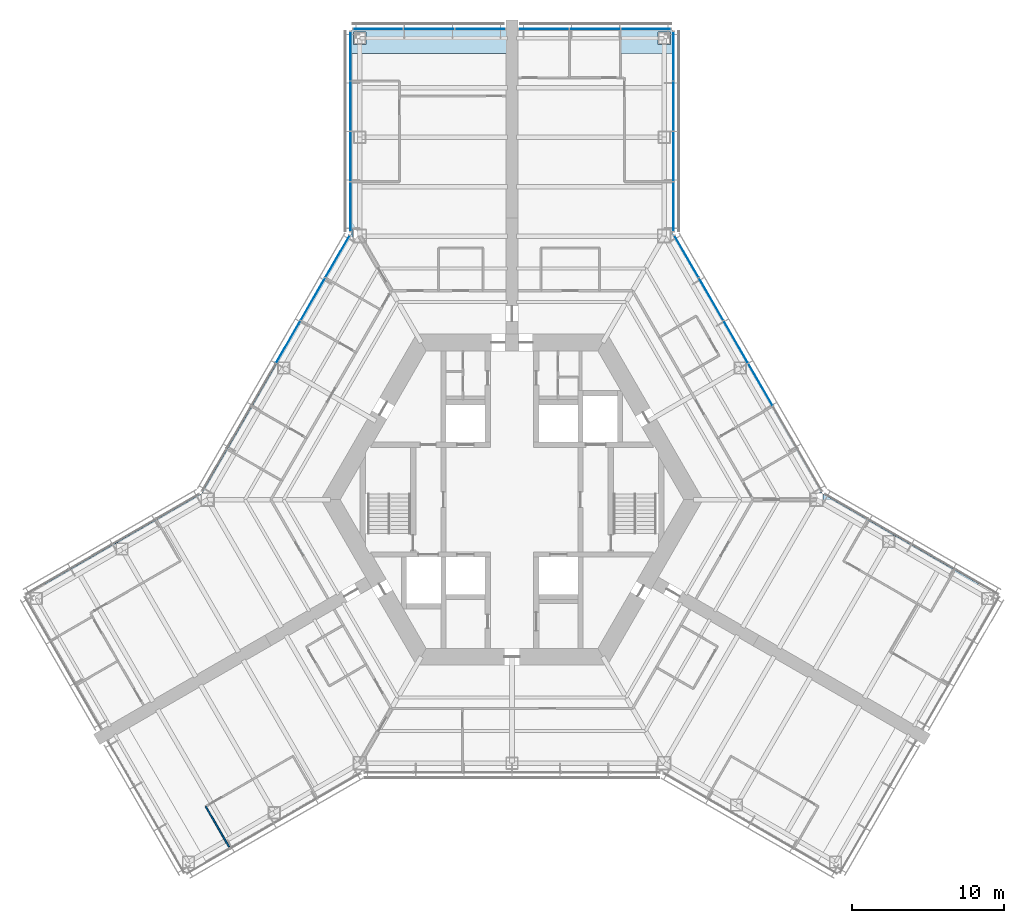
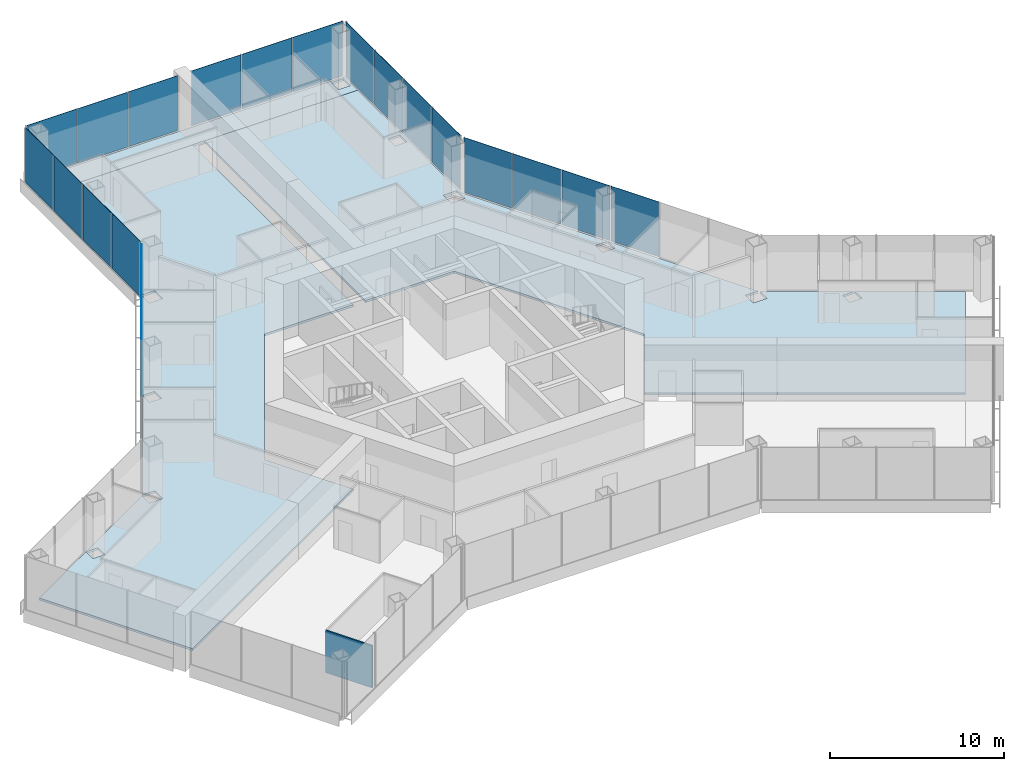
# One storey, part 11 of 19: 21 plates, 3 slabs, 1 wall, 6 elements without a shape of their own.
"""IFC4 building model written with IfcOpenShell, lengths in metres."""

from ifc_helpers import new_model, si_unit, direction, frame, frame_2d, origin, origin_2d, place, context, subcontext, project, spatial, polyline, rectangle, outline, extrude, material, layer, layer_set, type_object, element, aggregate, save


model = new_model("IFC4")

# Units and contexts
model_context = context("Model", 3, precision=1e-05, world=origin(), true_north=direction((0.0, 1.0)))
body_context = subcontext(model_context, "Body", "Model", "MODEL_VIEW")
ifc_project = project(units=[si_unit("LENGTHUNIT", "METRE"), si_unit("AREAUNIT", "SQUARE_METRE"), si_unit("VOLUMEUNIT", "CUBIC_METRE"), si_unit("PLANEANGLEUNIT", "RADIAN"), si_unit("MASSUNIT", "GRAM", prefix="KILO")], contexts=[model_context])

# Site, building, storey
site_placement = place(None, origin())
site = spatial("IfcSite", under=ifc_project, at=site_placement, CompositionType="ELEMENT")
building_placement = place(site_placement, origin())
building = spatial("IfcBuilding", under=site, at=building_placement, Name="Kasaneha Research Tower", CompositionType="ELEMENT")
storey_placement = place(building_placement, frame((0.0, 0.0, 104.10009765625)))
storey = spatial("IfcBuildingStorey", under=building, at=storey_placement, Name="L26", CompositionType="ELEMENT", Elevation=104.10009765625)

# Curtain wall, plates
ifc_material_1 = material(Name="Glass and aluminium", Category="aluminium")
curtain_wall_type = type_object("IfcCurtainWallType", Name="Low-rise office curtain wall", PredefinedType="USERDEFINED", material=ifc_material_1)
curtain_wall_1_placement = place(storey_placement, origin())
curtain_wall_1 = element("IfcCurtainWall", 1, at=curtain_wall_1_placement, inside=storey, type_object=curtain_wall_type, Name="CW-O1 L26 run 07a", ObjectType="UNITISED CURTAIN WALL", PredefinedType="USERDEFINED")
ifc_material_2 = material(Name="Laminated double glazing", Category="glass")
ifc_layer_1 = layer(ifc_material_2, 0.028076171875)
ifc_layer_set_1 = layer_set([ifc_layer_1], Name="CW-O1 glazed panel")
plate_type = type_object("IfcPlateType", Name="CW-O1 glazed panel", PredefinedType="CURTAIN_PANEL", material=ifc_layer_set_1)
plate_1_placement = place(storey_placement, frame((16.331298828125, 7.554443359375, 0.06005859375), z_axis=(0.0, 0.0, 1.0), x_axis=(-0.49999996188, 0.866025425793, 0.0)))
plate_1 = element("IfcPlate", 2, at=plate_1_placement, type_object=plate_type, Name="CW-O1 panel 3", PredefinedType="CURTAIN_PANEL", context=body_context, shape_type="SweptSolid", body=[
    extrude(rectangle(XDim=3.1865234375, YDim=0.028076171875, at=origin_2d()), origin(), (0.0, 0.0, 1.0), 3.840087890625),
])
plate_2_placement = place(storey_placement, frame((14.7080078125, 10.365966796875, 0.06005859375), z_axis=(0.0, 0.0, 1.0), x_axis=(-0.49999996188, 0.866025425793, 0.0)))
plate_2 = element("IfcPlate", 3, at=plate_2_placement, type_object=plate_type, Name="CW-O1 panel 4", PredefinedType="CURTAIN_PANEL", context=body_context, shape_type="SweptSolid", body=[
    extrude(rectangle(XDim=3.1865234375, YDim=0.028076171875, at=origin_2d()), origin(), (0.0, 0.0, 1.0), 3.840087890625),
])
plate_3_placement = place(storey_placement, frame((13.084716796875, 13.177490234375, 0.06005859375), z_axis=(0.0, 0.0, 1.0), x_axis=(-0.49999996188, 0.866025425793, 0.0)))
plate_3 = element("IfcPlate", 4, at=plate_3_placement, type_object=plate_type, Name="CW-O1 panel 5", PredefinedType="CURTAIN_PANEL", context=body_context, shape_type="SweptSolid", body=[
    extrude(rectangle(XDim=3.1865234375, YDim=0.028076171875, at=origin_2d()), origin(), (0.0, 0.0, 1.0), 3.840087890625),
])
plate_4_placement = place(storey_placement, frame((11.468994140625, 15.975830078125, 0.06005859375), z_axis=(0.0, 0.0, 1.0), x_axis=(-0.49999996188, 0.866025425793, 0.0)))
plate_4 = element("IfcPlate", 5, at=plate_4_placement, type_object=plate_type, Name="CW-O1 panel 6", PredefinedType="CURTAIN_PANEL", context=body_context, shape_type="SweptSolid", body=[
    extrude(rectangle(XDim=3.156494140625, YDim=0.028076171875, at=origin_2d()), origin(), (0.0, 0.0, 1.0), 3.840087890625),
])
aggregate(curtain_wall_1, [plate_1, plate_2, plate_3, plate_4])

curtain_wall_2_placement = place(storey_placement, origin())
curtain_wall_2 = element("IfcCurtainWall", 6, at=curtain_wall_2_placement, inside=storey, type_object=curtain_wall_type, Name="CW-O1 L26 run 08a", ObjectType="UNITISED CURTAIN WALL", PredefinedType="USERDEFINED")
plate_5_placement = place(storey_placement, frame((10.60009765625, 19.251220703125, 0.06005859375), z_axis=(0.0, 0.0, 1.0), x_axis=(0.0, 1.0, 0.0)))
plate_5 = element("IfcPlate", 7, at=plate_5_placement, type_object=plate_type, Name="CW-O1 panel 1", PredefinedType="CURTAIN_PANEL", context=body_context, shape_type="SweptSolid", body=[
    extrude(rectangle(XDim=3.2197265625, YDim=0.028076171875, at=origin_2d()), origin(), (0.0, 0.0, 1.0), 3.840087890625),
])
plate_6_placement = place(storey_placement, frame((10.60009765625, 22.5458984375, 0.06005859375), z_axis=(0.0, 0.0, 1.0), x_axis=(0.0, 1.0, 0.0)))
plate_6 = element("IfcPlate", 8, at=plate_6_placement, type_object=plate_type, Name="CW-O1 panel 2", PredefinedType="CURTAIN_PANEL", context=body_context, shape_type="SweptSolid", body=[
    extrude(rectangle(XDim=3.249755859375, YDim=0.028076171875, at=origin_2d()), origin(), (0.0, 0.0, 1.0), 3.840087890625),
])
plate_7_placement = place(storey_placement, frame((10.60009765625, 25.855712890625, 0.06005859375), z_axis=(0.0, 0.0, 1.0), x_axis=(0.0, 1.0, 0.0)))
plate_7 = element("IfcPlate", 9, at=plate_7_placement, type_object=plate_type, Name="CW-O1 panel 3", PredefinedType="CURTAIN_PANEL", context=body_context, shape_type="SweptSolid", body=[
    extrude(rectangle(XDim=3.249755859375, YDim=0.028076171875, at=origin_2d()), origin(), (0.0, 0.0, 1.0), 3.840087890625),
])
plate_8_placement = place(storey_placement, frame((10.60009765625, 29.150634765625, 0.06005859375), z_axis=(0.0, 0.0, 1.0), x_axis=(0.0, 1.0, 0.0)))
plate_8 = element("IfcPlate", 10, at=plate_8_placement, type_object=plate_type, Name="CW-O1 panel 4", PredefinedType="CURTAIN_PANEL", context=body_context, shape_type="SweptSolid", body=[
    extrude(rectangle(XDim=3.2197265625, YDim=0.028076171875, at=origin_2d()), origin(), (0.0, 0.0, 1.0), 3.840087890625),
])
aggregate(curtain_wall_2, [plate_5, plate_6, plate_7, plate_8])

curtain_wall_3_placement = place(storey_placement, origin())
curtain_wall_3 = element("IfcCurtainWall", 11, at=curtain_wall_3_placement, inside=storey, type_object=curtain_wall_type, Name="CW-O1 L26 run 09a", ObjectType="UNITISED CURTAIN WALL", PredefinedType="USERDEFINED")
plate_9_placement = place(storey_placement, frame((8.8017578125, 30.92041015625, 0.06005859375), z_axis=(0.0, 0.0, 1.0), x_axis=(-1.0, 0.0, 0.0)))
plate_9 = element("IfcPlate", 12, at=plate_9_placement, type_object=plate_type, Name="CW-O1 panel 1", PredefinedType="CURTAIN_PANEL", context=body_context, shape_type="SweptSolid", body=[
    extrude(rectangle(XDim=3.276611328125, YDim=0.028076171875, at=origin_2d()), origin(), (0.0, 0.0, 1.0), 3.840087890625),
])
plate_10_placement = place(storey_placement, frame((5.449951171875, 30.92041015625, 0.06005859375), z_axis=(0.0, 0.0, 1.0), x_axis=(-1.0, 0.0, 0.0)))
plate_10 = element("IfcPlate", 13, at=plate_10_placement, type_object=plate_type, Name="CW-O1 panel 2", PredefinedType="CURTAIN_PANEL", context=body_context, shape_type="SweptSolid", body=[
    extrude(rectangle(XDim=3.306640625, YDim=0.028076171875, at=origin_2d()), origin(), (0.0, 0.0, 1.0), 3.840087890625),
])
plate_11_placement = place(storey_placement, frame((2.098388671875, 30.92041015625, 0.06005859375), z_axis=(0.0, 0.0, 1.0), x_axis=(-1.0, 0.0, 0.0)))
plate_11 = element("IfcPlate", 14, at=plate_11_placement, type_object=plate_type, Name="CW-O1 panel 3", PredefinedType="CURTAIN_PANEL", context=body_context, shape_type="SweptSolid", body=[
    extrude(rectangle(XDim=3.276611328125, YDim=0.028076171875, at=origin_2d()), origin(), (0.0, 0.0, 1.0), 3.840087890625),
])
aggregate(curtain_wall_3, [plate_9, plate_10, plate_11])

curtain_wall_4_placement = place(storey_placement, origin())
curtain_wall_4 = element("IfcCurtainWall", 15, at=curtain_wall_4_placement, inside=storey, type_object=curtain_wall_type, Name="CW-O1 L26 run 10a", ObjectType="UNITISED CURTAIN WALL", PredefinedType="USERDEFINED")
plate_12_placement = place(storey_placement, frame((-2.098388671875, 30.92041015625, 0.06005859375), z_axis=(0.0, 0.0, 1.0), x_axis=(-1.0, 0.0, 0.0)))
plate_12 = element("IfcPlate", 16, at=plate_12_placement, type_object=plate_type, Name="CW-O1 panel 1", PredefinedType="CURTAIN_PANEL", context=body_context, shape_type="SweptSolid", body=[
    extrude(rectangle(XDim=3.276611328125, YDim=0.028076171875, at=origin_2d()), origin(), (0.0, 0.0, 1.0), 3.840087890625),
])
plate_13_placement = place(storey_placement, frame((-5.449951171875, 30.92041015625, 0.06005859375), z_axis=(0.0, 0.0, 1.0), x_axis=(-1.0, 0.0, 0.0)))
plate_13 = element("IfcPlate", 17, at=plate_13_placement, type_object=plate_type, Name="CW-O1 panel 2", PredefinedType="CURTAIN_PANEL", context=body_context, shape_type="SweptSolid", body=[
    extrude(rectangle(XDim=3.306640625, YDim=0.028076171875, at=origin_2d()), origin(), (0.0, 0.0, 1.0), 3.840087890625),
])
plate_14_placement = place(storey_placement, frame((-8.8017578125, 30.92041015625, 0.06005859375), z_axis=(0.0, 0.0, 1.0), x_axis=(-1.0, 0.0, 0.0)))
plate_14 = element("IfcPlate", 18, at=plate_14_placement, type_object=plate_type, Name="CW-O1 panel 3", PredefinedType="CURTAIN_PANEL", context=body_context, shape_type="SweptSolid", body=[
    extrude(rectangle(XDim=3.276611328125, YDim=0.028076171875, at=origin_2d()), origin(), (0.0, 0.0, 1.0), 3.840087890625),
])
aggregate(curtain_wall_4, [plate_12, plate_13, plate_14])

curtain_wall_5_placement = place(storey_placement, origin())
curtain_wall_5 = element("IfcCurtainWall", 19, at=curtain_wall_5_placement, inside=storey, type_object=curtain_wall_type, Name="CW-O1 L26 run 11a", ObjectType="UNITISED CURTAIN WALL", PredefinedType="USERDEFINED")
plate_15_placement = place(storey_placement, frame((-10.60009765625, 29.150634765625, 0.06005859375), z_axis=(0.0, 0.0, 1.0), x_axis=(0.0, -1.0, 0.0)))
plate_15 = element("IfcPlate", 20, at=plate_15_placement, type_object=plate_type, Name="CW-O1 panel 1", PredefinedType="CURTAIN_PANEL", context=body_context, shape_type="SweptSolid", body=[
    extrude(rectangle(XDim=3.2197265625, YDim=0.028076171875, at=origin_2d()), origin(), (0.0, 0.0, 1.0), 3.840087890625),
])
plate_16_placement = place(storey_placement, frame((-10.60009765625, 25.855712890625, 0.06005859375), z_axis=(0.0, 0.0, 1.0), x_axis=(0.0, -1.0, 0.0)))
plate_16 = element("IfcPlate", 21, at=plate_16_placement, type_object=plate_type, Name="CW-O1 panel 2", PredefinedType="CURTAIN_PANEL", context=body_context, shape_type="SweptSolid", body=[
    extrude(rectangle(XDim=3.249755859375, YDim=0.028076171875, at=origin_2d()), origin(), (0.0, 0.0, 1.0), 3.840087890625),
])
plate_17_placement = place(storey_placement, frame((-10.60009765625, 22.5458984375, 0.06005859375), z_axis=(0.0, 0.0, 1.0), x_axis=(0.0, -1.0, 0.0)))
plate_17 = element("IfcPlate", 22, at=plate_17_placement, type_object=plate_type, Name="CW-O1 panel 3", PredefinedType="CURTAIN_PANEL", context=body_context, shape_type="SweptSolid", body=[
    extrude(rectangle(XDim=3.249755859375, YDim=0.028076171875, at=origin_2d()), origin(), (0.0, 0.0, 1.0), 3.840087890625),
])
plate_18_placement = place(storey_placement, frame((-10.60009765625, 19.251220703125, 0.06005859375), z_axis=(0.0, 0.0, 1.0), x_axis=(0.0, -1.0, 0.0)))
plate_18 = element("IfcPlate", 23, at=plate_18_placement, type_object=plate_type, Name="CW-O1 panel 4", PredefinedType="CURTAIN_PANEL", context=body_context, shape_type="SweptSolid", body=[
    extrude(rectangle(XDim=3.2197265625, YDim=0.028076171875, at=origin_2d()), origin(), (0.0, 0.0, 1.0), 3.840087890625),
])
aggregate(curtain_wall_5, [plate_15, plate_16, plate_17, plate_18])

curtain_wall_6_placement = place(storey_placement, origin())
curtain_wall_6 = element("IfcCurtainWall", 24, at=curtain_wall_6_placement, inside=storey, type_object=curtain_wall_type, Name="CW-O1 L26 run 12a", ObjectType="UNITISED CURTAIN WALL", PredefinedType="USERDEFINED")
plate_19_placement = place(storey_placement, frame((-11.468994140625, 15.975830078125, 0.06005859375), z_axis=(0.0, 0.0, 1.0), x_axis=(-0.49999996188, -0.866025425793, 0.0)))
plate_19 = element("IfcPlate", 25, at=plate_19_placement, type_object=plate_type, Name="CW-O1 panel 1", PredefinedType="CURTAIN_PANEL", context=body_context, shape_type="SweptSolid", body=[
    extrude(rectangle(XDim=3.156494140625, YDim=0.028076171875, at=origin_2d()), origin(), (0.0, 0.0, 1.0), 3.840087890625),
])
plate_20_placement = place(storey_placement, frame((-13.084716796875, 13.177490234375, 0.06005859375), z_axis=(0.0, 0.0, 1.0), x_axis=(-0.49999996188, -0.866025425793, 0.0)))
plate_20 = element("IfcPlate", 26, at=plate_20_placement, type_object=plate_type, Name="CW-O1 panel 2", PredefinedType="CURTAIN_PANEL", context=body_context, shape_type="SweptSolid", body=[
    extrude(rectangle(XDim=3.1865234375, YDim=0.028076171875, at=origin_2d()), origin(), (0.0, 0.0, 1.0), 3.840087890625),
])
plate_21_placement = place(storey_placement, frame((-14.7080078125, 10.365966796875, 0.06005859375), z_axis=(0.0, 0.0, 1.0), x_axis=(-0.49999996188, -0.866025425793, 0.0)))
plate_21 = element("IfcPlate", 27, at=plate_21_placement, type_object=plate_type, Name="CW-O1 panel 3", PredefinedType="CURTAIN_PANEL", context=body_context, shape_type="SweptSolid", body=[
    extrude(rectangle(XDim=3.1865234375, YDim=0.028076171875, at=origin_2d()), origin(), (0.0, 0.0, 1.0), 3.840087890625),
])
aggregate(curtain_wall_6, [plate_19, plate_20, plate_21])

# Slabs
ifc_material_3 = material(Name="Concrete Fc24", Category="concrete")
ifc_layer_2 = layer(ifc_material_3, 0.14990234375)
ifc_layer_set_2 = layer_set([ifc_layer_2], Name="Floor slab 150")
slab_type = type_object("IfcSlabType", Name="Floor slab 150", PredefinedType="FLOOR", material=ifc_layer_set_2)
slab_1_placement = place(storey_placement, frame((0.0, 0.0, -0.150146484375)))
element("IfcSlab", 28, at=slab_1_placement, inside=storey, type_object=slab_type, Name="Floor slab L26 2", PredefinedType="FLOOR", context=body_context, shape_type="SweptSolid", body=[
    extrude(outline(polyline([(-20.375244140625, 0.449951171875), (-15.40771484375, 9.053955078125), (-15.400146484375, 9.046142578125), (-15.400146484375, 8.26025390625), (-14.599853515625, 8.26025390625), (-14.599853515625, 9.060302734375), (-15.385986328125, 9.060302734375), (-15.3974609375, 9.07177734375), (-10.550048828125, 17.4677734375), (-10.550048828125, 29.310546875), (-0.39990234375, 29.310546875), (-0.39990234375, 10.875), (-6.278564453125, 10.875), (-12.557373046875, 0.0), (-9.617919921875, -5.091064453125), (-25.583740234375, -14.308837890625), (-30.65869140625, -5.518798828125), (-26.040771484375, -2.8525390625), (-26.029296875, -2.864013671875), (-26.029296875, -3.650146484375), (-25.22900390625, -3.650146484375), (-25.22900390625, -2.849853515625), (-26.01513671875, -2.849853515625), (-26.02294921875, -2.84228515625), (-20.449951171875, 0.375244140625), (-20.449951171875, -0.449951171875), (-19.550048828125, -0.449951171875), (-19.550048828125, 0.449951171875), (-20.375244140625, 0.449951171875)]), holes=[polyline([(-9.550048828125, 17.7705078125), (-10.449951171875, 17.7705078125), (-10.449951171875, 16.87060546875), (-9.550048828125, 16.87060546875), (-9.550048828125, 17.7705078125)]), polyline([(-9.60009765625, 23.42041015625), (-9.60009765625, 24.220458984375), (-10.39990234375, 24.220458984375), (-10.39990234375, 23.42041015625), (-9.60009765625, 23.42041015625)])]), origin(), (0.0, 0.0, 1.0), 0.150146484375),
])
slab_2_placement = place(storey_placement, frame((0.0, 0.0, -0.150146484375)))
element("IfcSlab", 29, at=slab_2_placement, inside=storey, type_object=slab_type, Name="Floor slab L26 3", PredefinedType="FLOOR", context=body_context, shape_type="SweptSolid", body=[
    extrude(outline(polyline([(10.550048828125, 29.310546875), (0.39990234375, 29.310546875), (0.39990234375, 29.320556640625), (-0.39990234375, 29.320556640625), (-0.39990234375, 29.310546875), (-10.550048828125, 29.310546875), (-10.550048828125, 30.87060546875), (10.550048828125, 30.87060546875), (10.550048828125, 29.310546875)]), holes=[polyline([(-9.60009765625, 30.720458984375), (-10.39990234375, 30.720458984375), (-10.39990234375, 29.92041015625), (-9.60009765625, 29.92041015625), (-9.60009765625, 30.720458984375)]), polyline([(10.39990234375, 29.92041015625), (10.39990234375, 30.720458984375), (9.60009765625, 30.720458984375), (9.60009765625, 29.92041015625), (10.39990234375, 29.92041015625)])]), origin(), (0.0, 0.0, 1.0), 0.150146484375),
])
slab_3_placement = place(storey_placement, frame((0.0, 0.0, -0.150146484375)))
element("IfcSlab", 30, at=slab_3_placement, inside=storey, type_object=slab_type, Name="Floor slab L26 5", PredefinedType="FLOOR", context=body_context, shape_type="SweptSolid", body=[
    extrude(outline(polyline([(9.617919921875, -5.091064453125), (12.557373046875, 0.0), (6.278564453125, 10.875), (0.39990234375, 10.875), (0.39990234375, 29.310546875), (10.550048828125, 29.310546875), (10.550048828125, 17.4677734375), (15.3974609375, 9.07177734375), (15.385986328125, 9.060302734375), (14.599853515625, 9.060302734375), (14.599853515625, 8.26025390625), (15.400146484375, 8.26025390625), (15.400146484375, 9.046142578125), (15.40771484375, 9.053955078125), (20.375244140625, 0.449951171875), (19.550048828125, 0.449951171875), (19.550048828125, -0.449951171875), (20.449951171875, -0.449951171875), (20.449951171875, 0.375244140625), (25.15673828125, -2.34228515625), (25.149169921875, -2.349853515625), (24.363037109375, -2.349853515625), (24.363037109375, -3.150146484375), (25.163330078125, -3.150146484375), (25.163330078125, -2.364013671875), (25.1748046875, -2.3525390625), (30.65869140625, -5.518798828125), (25.583740234375, -14.308837890625), (9.617919921875, -5.091064453125)]), holes=[polyline([(10.449951171875, 16.87060546875), (10.449951171875, 17.7705078125), (9.550048828125, 17.7705078125), (9.550048828125, 16.87060546875), (10.449951171875, 16.87060546875)]), polyline([(10.39990234375, 23.42041015625), (10.39990234375, 24.220458984375), (9.60009765625, 24.220458984375), (9.60009765625, 23.42041015625), (10.39990234375, 23.42041015625)])]), origin(), (0.0, 0.0, 1.0), 0.150146484375),
])

# Wall
ifc_material_4 = material(Name="Gypsum board on steel studs, one layer each side", Category="steel")
ifc_layer_3 = layer(ifc_material_4, 0.10009765625)
ifc_layer_set_3 = layer_set([ifc_layer_3], Name="Office partition 100")
wall_type = type_object("IfcWallType", Name="Office partition 100", PredefinedType="PARTITIONING", material=ifc_layer_set_3)
wall_placement = place(storey_placement, frame((-18.5849609375, -22.831298828125, 0.0), z_axis=(0.0, 0.0, 1.0), x_axis=(-0.499992328818, 0.866029832698, 0.0)))
element("IfcWall", 31, at=wall_placement, inside=storey, type_object=wall_type, Name="Office partition FBS08 L26", PredefinedType="PARTITIONING", context=body_context, shape_type="SweptSolid", body=[
    extrude(rectangle(XDim=3.080078125, YDim=0.10009765625, at=frame_2d((1.5400390625, 0.0))), origin(), (0.0, 0.0, 1.0), 2.949951171875),
])

save(model, "model.ifc")
